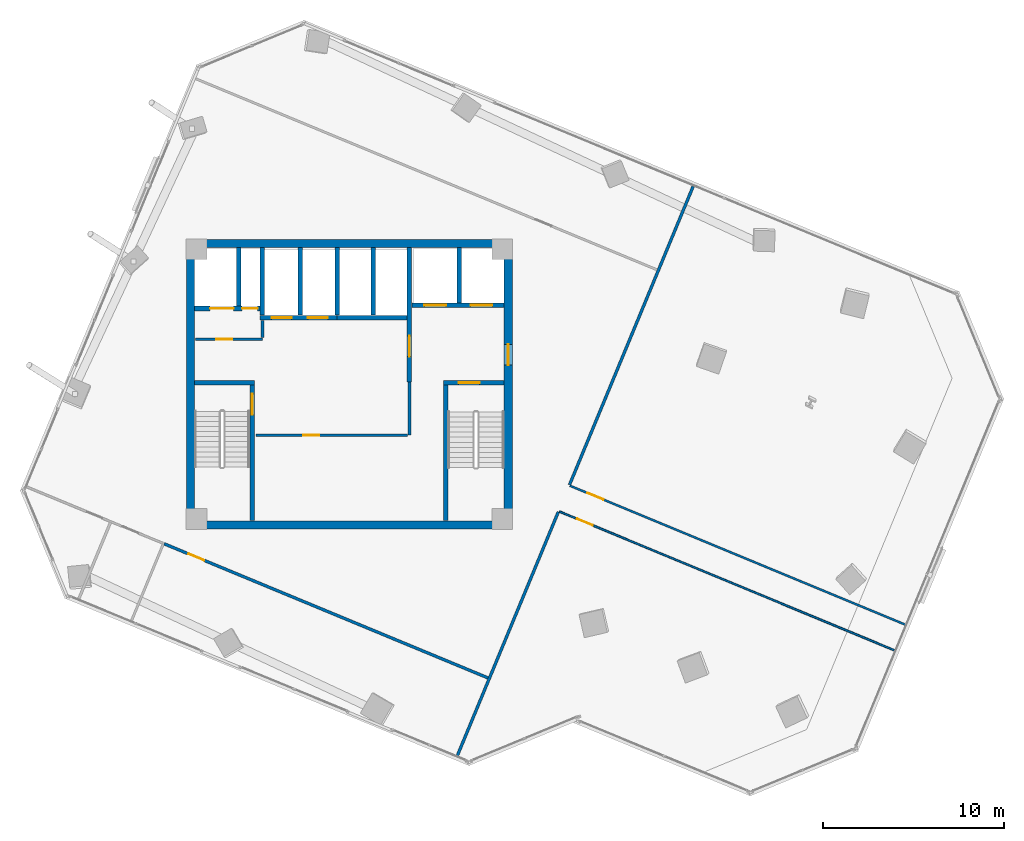
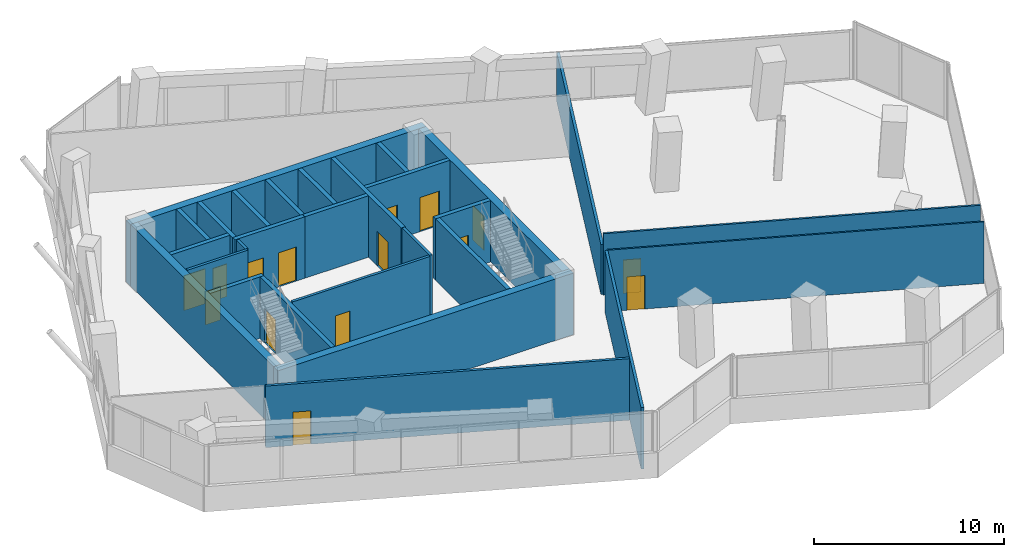
# One storey, part 17 of 22: 28 walls, 15 doors, 15 openings.
"""IFC4 building model written with IfcOpenShell, lengths in metres."""

from ifc_helpers import new_model, si_unit, direction, frame, frame_2d, origin, place, context, subcontext, project, spatial, rectangle, extrude, source, transform, mapped, material, layer, layer_set, type_object, element, fill, save


model = new_model("IFC4")

# Units and contexts
model_context = context("Model", 3, precision=1e-05, world=origin(), true_north=direction((0.0, 1.0)))
body_context = subcontext(model_context, "Body", "Model", "MODEL_VIEW")
ifc_project = project(units=[si_unit("LENGTHUNIT", "METRE"), si_unit("AREAUNIT", "SQUARE_METRE"), si_unit("VOLUMEUNIT", "CUBIC_METRE"), si_unit("PLANEANGLEUNIT", "RADIAN"), si_unit("MASSUNIT", "GRAM", prefix="KILO")], contexts=[model_context])

# Site, building, storey
site_placement = place(None, origin())
site = spatial("IfcSite", under=ifc_project, at=site_placement, CompositionType="ELEMENT")
building_placement = place(site_placement, origin())
building = spatial("IfcBuilding", under=site, at=building_placement, Name="Torre Montelarca", CompositionType="ELEMENT")
storey_placement = place(building_placement, frame((0.0, 0.0, 149.800048828125)))
storey = spatial("IfcBuildingStorey", under=building, at=storey_placement, Name="L33", CompositionType="ELEMENT", Elevation=149.800048828125)

# Wall, opening, door
ifc_material_1 = material(Name="Concrete C40/50", Category="concrete")
ifc_layer_1 = layer(ifc_material_1, 0.25, Name="Concrete C40/50", Category="concrete")
ifc_layer_set_1 = layer_set([ifc_layer_1], Name="Concrete C40/50")
wall_type_1 = type_object("IfcWallType", Name="CW-SHAFT-250", PredefinedType="SHEAR", material=ifc_layer_set_1)
wall_1_placement = place(storey_placement, frame((12.625, 24.4599609375, 0.0), z_axis=(0.0, 0.0, 1.0), x_axis=(0.0, 1.0, 0.0)))
wall_1 = element("IfcWall", 1, at=wall_1_placement, inside=storey, type_object=wall_type_1, Name="L33 Core Shear Wall SH-ST1-E", PredefinedType="SHEAR", context=body_context, shape_type="SweptSolid", body=[
    extrude(rectangle(XDim=7.489990234375, YDim=0.25, at=frame_2d((3.7451171875, 0.0))), origin(), (0.0, 0.0, 1.0), 3.9599609375),
])
opening_1_placement = place(wall_1_placement, frame((5.85009765625, 0.0, 0.0)))
opening_1 = element("IfcOpeningElement", 2, at=opening_1_placement, cuts=wall_1, Name="Opening FD-ST1", PredefinedType="OPENING", context=body_context, shape_type="SweptSolid", body=[
    extrude(rectangle(XDim=1.14990234375, YDim=2.199951171875, at=frame_2d((0.574951171875, 1.10009765625))), frame((0.0, 0.135009765625, 0.0), z_axis=(0.0, -1.0, 0.0), x_axis=(1.0, 0.0, 0.0)), (0.0, 0.0, 1.0), 0.27001953125),
])
ifc_material_2 = material(Name="Galvanized steel fire door", Category="steel")
door_type_1 = type_object("IfcDoorType", Name="DR-STAIR-115", OperationType="NOTDEFINED", PredefinedType="DOOR", material=ifc_material_2)
shared_shape_1 = source(origin(), body_context, "Body", "SweptSolid", [
    extrude(rectangle(XDim=1.14990234375, YDim=2.199951171875, at=frame_2d((0.574951171875, 1.10009765625))), frame((0.0, 0.02490234375, 0.0), z_axis=(0.0, -1.0, 0.0), x_axis=(1.0, 0.0, 0.0)), (0.0, 0.0, 1.0), 0.050048828125),
])
door_1_placement = place(opening_1_placement, origin())
door_1 = element("IfcDoor", 3, at=door_1_placement, inside=storey, type_object=door_type_1, Name="L33 Exit Stair ST1 Fire Door", OperationType="SINGLE_SWING_RIGHT", OverallHeight=2.199951171875, OverallWidth=1.14990234375, PredefinedType="DOOR", context=body_context, shape_type="MappedRepresentation", body=[
    mapped(shared_shape_1, transform((0.0, 0.0, 0.0), scale=1.0)),
])
fill(opening_1, door_1)

# Walls
wall_2_placement = place(storey_placement, frame((9.4599609375, 32.074951171875, 0.0), z_axis=(0.0, 0.0, 1.0), x_axis=(1.0, 0.0, 0.0)))
element("IfcWall", 4, at=wall_2_placement, inside=storey, type_object=wall_type_1, Name="L33 Core Shear Wall SH-ST1-N", PredefinedType="SHEAR", context=body_context, shape_type="SweptSolid", body=[
    extrude(rectangle(XDim=3.2900390625, YDim=0.25, at=frame_2d((1.64501953125, 0.0))), origin(), (0.0, 0.0, 1.0), 3.9599609375),
])
wall_3_placement = place(storey_placement, frame((23.31494140625, 24.4599609375, 0.0), z_axis=(0.0, 0.0, 1.0), x_axis=(0.0, 1.0, 0.0)))
element("IfcWall", 5, at=wall_3_placement, inside=storey, type_object=wall_type_1, Name="L33 Core Shear Wall SH-ST2-W", PredefinedType="SHEAR", context=body_context, shape_type="SweptSolid", body=[
    extrude(rectangle(XDim=7.489990234375, YDim=0.25, at=frame_2d((3.7451171875, 0.0))), origin(), (0.0, 0.0, 1.0), 3.9599609375),
])

# Wall, opening, door
wall_4_placement = place(storey_placement, frame((23.18994140625, 32.074951171875, 0.0), z_axis=(0.0, 0.0, 1.0), x_axis=(1.0, 0.0, 0.0)))
wall_4 = element("IfcWall", 6, at=wall_4_placement, inside=storey, type_object=wall_type_1, Name="L33 Core Shear Wall SH-ST2-N", PredefinedType="SHEAR", context=body_context, shape_type="SweptSolid", body=[
    extrude(rectangle(XDim=3.35009765625, YDim=0.25, at=frame_2d((1.675048828125, 0.0))), origin(), (0.0, 0.0, 1.0), 3.9599609375),
])
opening_2_placement = place(wall_4_placement, frame((0.85009765625, 0.0, 0.0)))
opening_2 = element("IfcOpeningElement", 7, at=opening_2_placement, cuts=wall_4, Name="Opening FD-ST1", PredefinedType="OPENING", context=body_context, shape_type="SweptSolid", body=[
    extrude(rectangle(XDim=1.14990234375, YDim=2.199951171875, at=frame_2d((0.574951171875, 1.10009765625))), frame((0.0, 0.135009765625, 0.0), z_axis=(0.0, -1.0, 0.0), x_axis=(1.0, 0.0, 0.0)), (0.0, 0.0, 1.0), 0.27001953125),
])
door_2_placement = place(opening_2_placement, origin())
door_2 = element("IfcDoor", 8, at=door_2_placement, inside=storey, type_object=door_type_1, Name="L33 Exit Stair ST2 Fire Door", OperationType="SINGLE_SWING_RIGHT", OverallHeight=2.199951171875, OverallWidth=1.14990234375, PredefinedType="DOOR", context=body_context, shape_type="MappedRepresentation", body=[
    mapped(shared_shape_1, transform((0.0, 0.0, 0.0), scale=1.0)),
])
fill(opening_2, door_2)

wall_5_placement = place(storey_placement, frame((21.320068359375, 32.1201171875, 0.0), z_axis=(0.0, 0.0, 1.0), x_axis=(0.0, 1.0, 0.0)))
wall_5 = element("IfcWall", 9, at=wall_5_placement, inside=storey, type_object=wall_type_1, Name="L33 Core Shear Wall SH-FFL-W", PredefinedType="SHEAR", context=body_context, shape_type="SweptSolid", body=[
    extrude(rectangle(XDim=7.419921875, YDim=0.25, at=frame_2d((3.7099609375, 0.0))), origin(), (0.0, 0.0, 1.0), 3.9599609375),
])
opening_3_placement = place(wall_5_placement, frame((1.39990234375, 0.0, 0.0)))
opening_3 = element("IfcOpeningElement", 10, at=opening_3_placement, cuts=wall_5, Name="Opening FD-LB1", PredefinedType="OPENING", context=body_context, shape_type="SweptSolid", body=[
    extrude(rectangle(XDim=1.14990234375, YDim=2.199951171875, at=frame_2d((0.574951171875, 1.10009765625))), frame((0.0, 0.135009765625, 0.0), z_axis=(0.0, -1.0, 0.0), x_axis=(1.0, 0.0, 0.0)), (0.0, 0.0, 1.0), 0.27001953125),
])
ifc_material_3 = material(Name="Acoustic timber-veneered fire door", Category="wood")
door_type_2 = type_object("IfcDoorType", Name="DR-LOBBY-115", OperationType="NOTDEFINED", PredefinedType="DOOR", material=ifc_material_3)
shared_shape_2 = source(origin(), body_context, "Body", "SweptSolid", [
    extrude(rectangle(XDim=1.14990234375, YDim=2.199951171875, at=frame_2d((0.574951171875, 1.10009765625))), frame((0.0, 0.02490234375, 0.0), z_axis=(0.0, -1.0, 0.0), x_axis=(1.0, 0.0, 0.0)), (0.0, 0.0, 1.0), 0.050048828125),
])
door_3_placement = place(opening_3_placement, origin())
door_3 = element("IfcDoor", 11, at=door_3_placement, inside=storey, type_object=door_type_2, Name="L33 Lift Lobby to Firefighting Lobby Smoke Door", OperationType="SINGLE_SWING_LEFT", OverallHeight=2.199951171875, OverallWidth=1.14990234375, PredefinedType="DOOR", context=body_context, shape_type="MappedRepresentation", body=[
    mapped(shared_shape_2, transform((0.0, 0.0, 0.0), scale=1.0)),
])
fill(opening_3, door_3)

# Wall, openings, doors
wall_6_placement = place(storey_placement, frame((9.4599609375, 36.179931640625, 0.0), z_axis=(0.0, 0.0, 1.0), x_axis=(1.0, 0.0, 0.0)))
wall_6 = element("IfcWall", 12, at=wall_6_placement, inside=storey, type_object=wall_type_1, Name="L33 Core Shear Wall SH-SV1-S", PredefinedType="SHEAR", context=body_context, shape_type="SweptSolid", body=[
    extrude(rectangle(XDim=3.7900390625, YDim=0.25, at=frame_2d((1.89501953125, 0.0))), origin(), (0.0, 0.0, 1.0), 3.9599609375),
])
opening_4_placement = place(wall_6_placement, frame((2.6201171875, 0.0, 0.0)))
opening_4 = element("IfcOpeningElement", 13, at=opening_4_placement, cuts=wall_6, Name="Opening FD-085", PredefinedType="OPENING", context=body_context, shape_type="SweptSolid", body=[
    extrude(rectangle(XDim=0.85009765625, YDim=2.10009765625, at=frame_2d((0.425048828125, 1.050048828125))), frame((0.0, 0.135009765625, 0.0), z_axis=(0.0, -1.0, 0.0), x_axis=(1.0, 0.0, 0.0)), (0.0, 0.0, 1.0), 0.27001953125),
])
opening_5_placement = place(wall_6_placement, frame((0.85009765625, 0.0, 0.0)))
opening_5 = element("IfcOpeningElement", 14, at=opening_5_placement, cuts=wall_6, Name="Opening LD-130", PredefinedType="OPENING", context=body_context, shape_type="SweptSolid", body=[
    extrude(rectangle(XDim=1.300048828125, YDim=2.25, at=frame_2d((0.64990234375, 1.125))), frame((0.0, 0.135009765625, 0.0), z_axis=(0.0, -1.0, 0.0), x_axis=(1.0, 0.0, 0.0)), (0.0, 0.0, 1.0), 0.27001953125),
])
ifc_material_4 = material(Name="Steel riser access fire door", Category="steel")
door_type_3 = type_object("IfcDoorType", Name="DR-RISER-085", OperationType="NOTDEFINED", PredefinedType="DOOR", material=ifc_material_4)
shared_shape_3 = source(origin(), body_context, "Body", "SweptSolid", [
    extrude(rectangle(XDim=0.85009765625, YDim=2.10009765625, at=frame_2d((0.425048828125, 1.050048828125))), frame((0.0, 0.02490234375, 0.0), z_axis=(0.0, -1.0, 0.0), x_axis=(1.0, 0.0, 0.0)), (0.0, 0.0, 1.0), 0.050048828125),
])
door_4_placement = place(opening_4_placement, origin())
door_4 = element("IfcDoor", 15, at=door_4_placement, inside=storey, type_object=door_type_3, Name="L33 Electrical Riser Shaft Access Door", OperationType="SINGLE_SWING_RIGHT", OverallHeight=2.10009765625, OverallWidth=0.85009765625, PredefinedType="DOOR", context=body_context, shape_type="MappedRepresentation", body=[
    mapped(shared_shape_3, transform((0.0, 0.0, 0.0), scale=1.0)),
])
fill(opening_4, door_4)
ifc_material_5 = material(Name="Brushed stainless steel AISI 316", Category="steel")
door_type_4 = type_object("IfcDoorType", Name="DR-LIFT-130", OperationType="SLIDING_TO_LEFT", PredefinedType="DOOR", material=ifc_material_5)
shared_shape_4 = source(origin(), body_context, "Body", "SweptSolid", [
    extrude(rectangle(XDim=1.300048828125, YDim=2.25, at=frame_2d((0.64990234375, 1.125))), frame((0.0, 0.02490234375, 0.0), z_axis=(0.0, -1.0, 0.0), x_axis=(1.0, 0.0, 0.0)), (0.0, 0.0, 1.0), 0.050048828125),
])
door_5_placement = place(opening_5_placement, origin())
door_5 = element("IfcDoor", 16, at=door_5_placement, inside=storey, type_object=door_type_4, Name="L33 Lift Landing Sliding Door SV-1", OperationType="SLIDING_TO_LEFT", OverallHeight=2.25, OverallWidth=1.300048828125, PredefinedType="DOOR", context=body_context, shape_type="MappedRepresentation", body=[
    mapped(shared_shape_4, transform((0.0, 0.0, 0.0), scale=1.0)),
])
fill(opening_5, door_5)

# Wall
wall_7_placement = place(storey_placement, frame((11.89990234375, 36.31005859375, 0.0), z_axis=(0.0, 0.0, 1.0), x_axis=(0.0, 1.0, 0.0)))
element("IfcWall", 17, at=wall_7_placement, inside=storey, type_object=wall_type_1, Name="L33 Core Shear Wall SH-SV1-E", PredefinedType="SHEAR", context=body_context, shape_type="SweptSolid", body=[
    extrude(rectangle(XDim=3.22998046875, YDim=0.25, at=frame_2d((1.614990234375, 0.0))), origin(), (0.0, 0.0, 1.0), 3.9599609375),
])

# Wall, openings, doors
wall_8_placement = place(storey_placement, frame((21.449951171875, 36.35009765625, 0.0), z_axis=(0.0, 0.0, 1.0), x_axis=(1.0, 0.0, 0.0)))
wall_8 = element("IfcWall", 18, at=wall_8_placement, inside=storey, type_object=wall_type_1, Name="L33 Core Shear Wall SH-FF-S", PredefinedType="SHEAR", context=body_context, shape_type="SweptSolid", body=[
    extrude(rectangle(XDim=5.090087890625, YDim=0.25, at=frame_2d((2.544921875, 0.0))), origin(), (0.0, 0.0, 1.0), 3.9599609375),
])
opening_6_placement = place(wall_8_placement, frame((0.699951171875, 0.0, 0.0)))
opening_6 = element("IfcOpeningElement", 19, at=opening_6_placement, cuts=wall_8, Name="Opening LD-120", PredefinedType="OPENING", context=body_context, shape_type="SweptSolid", body=[
    extrude(rectangle(XDim=1.199951171875, YDim=2.199951171875, at=frame_2d((0.60009765625, 1.10009765625))), frame((0.0, 0.135009765625, 0.0), z_axis=(0.0, -1.0, 0.0), x_axis=(1.0, 0.0, 0.0)), (0.0, 0.0, 1.0), 0.27001953125),
])
opening_7_placement = place(wall_8_placement, frame((3.25, 0.0, 0.0)))
opening_7 = element("IfcOpeningElement", 20, at=opening_7_placement, cuts=wall_8, Name="Opening LD-120", PredefinedType="OPENING", context=body_context, shape_type="SweptSolid", body=[
    extrude(rectangle(XDim=1.199951171875, YDim=2.199951171875, at=frame_2d((0.60009765625, 1.10009765625))), frame((0.0, 0.135009765625, 0.0), z_axis=(0.0, -1.0, 0.0), x_axis=(1.0, 0.0, 0.0)), (0.0, 0.0, 1.0), 0.27001953125),
])
door_type_5 = type_object("IfcDoorType", Name="DR-LIFT-120", OperationType="SLIDING_TO_RIGHT", PredefinedType="DOOR", material=ifc_material_5)
shared_shape_5 = source(origin(), body_context, "Body", "SweptSolid", [
    extrude(rectangle(XDim=1.199951171875, YDim=2.199951171875, at=frame_2d((0.60009765625, 1.10009765625))), frame((0.0, 0.02490234375, 0.0), z_axis=(0.0, -1.0, 0.0), x_axis=(1.0, 0.0, 0.0)), (0.0, 0.0, 1.0), 0.050048828125),
])
door_6_placement = place(opening_6_placement, origin())
door_6 = element("IfcDoor", 21, at=door_6_placement, inside=storey, type_object=door_type_5, Name="L33 Lift Landing Sliding Door FF-1", OperationType="SLIDING_TO_LEFT", OverallHeight=2.199951171875, OverallWidth=1.199951171875, PredefinedType="DOOR", context=body_context, shape_type="MappedRepresentation", body=[
    mapped(shared_shape_5, transform((0.0, 0.0, 0.0), scale=1.0)),
])
fill(opening_6, door_6)
door_7_placement = place(opening_7_placement, origin())
door_7 = element("IfcDoor", 22, at=door_7_placement, inside=storey, type_object=door_type_5, Name="L33 Lift Landing Sliding Door FF-2", OperationType="SLIDING_TO_RIGHT", OverallHeight=2.199951171875, OverallWidth=1.199951171875, PredefinedType="DOOR", context=body_context, shape_type="MappedRepresentation", body=[
    mapped(shared_shape_5, transform((0.0, 0.0, 0.0), scale=1.0)),
])
fill(opening_7, door_7)

# Wall
wall_9_placement = place(storey_placement, frame((24.080078125, 36.47998046875, 0.0), z_axis=(0.0, 0.0, 1.0), x_axis=(0.0, 1.0, 0.0)))
element("IfcWall", 23, at=wall_9_placement, inside=storey, type_object=wall_type_1, Name="L33 Core Shear Wall SH-FF-M", PredefinedType="SHEAR", context=body_context, shape_type="SweptSolid", body=[
    extrude(rectangle(XDim=3.06005859375, YDim=0.25, at=frame_2d((1.530029296875, 0.0))), origin(), (0.0, 0.0, 1.0), 3.9599609375),
])

# Wall, openings, doors
wall_10_placement = place(storey_placement, frame((13.06005859375, 35.679931640625, 0.0), z_axis=(0.0, 0.0, 1.0), x_axis=(1.0, 0.0, 0.0)))
wall_10 = element("IfcWall", 24, at=wall_10_placement, inside=storey, type_object=wall_type_1, Name="L33 Core Shear Wall SH-PLM-S", PredefinedType="SHEAR", context=body_context, shape_type="SweptSolid", body=[
    extrude(rectangle(XDim=4.25, YDim=0.25, at=frame_2d((2.125, 0.0))), origin(), (0.0, 0.0, 1.0), 3.9599609375),
])
opening_8_placement = place(wall_10_placement, frame((0.64990234375, 0.0, 0.0)))
opening_8 = element("IfcOpeningElement", 25, at=opening_8_placement, cuts=wall_10, Name="Opening LD-110", PredefinedType="OPENING", context=body_context, shape_type="SweptSolid", body=[
    extrude(rectangle(XDim=1.10009765625, YDim=2.199951171875, at=frame_2d((0.550048828125, 1.10009765625))), frame((0.0, 0.135009765625, 0.0), z_axis=(0.0, -1.0, 0.0), x_axis=(1.0, 0.0, 0.0)), (0.0, 0.0, 1.0), 0.27001953125),
])
opening_9_placement = place(wall_10_placement, frame((2.64990234375, 0.0, 0.0)))
opening_9 = element("IfcOpeningElement", 26, at=opening_9_placement, cuts=wall_10, Name="Opening LD-110", PredefinedType="OPENING", context=body_context, shape_type="SweptSolid", body=[
    extrude(rectangle(XDim=1.10009765625, YDim=2.199951171875, at=frame_2d((0.550048828125, 1.10009765625))), frame((0.0, 0.135009765625, 0.0), z_axis=(0.0, -1.0, 0.0), x_axis=(1.0, 0.0, 0.0)), (0.0, 0.0, 1.0), 0.27001953125),
])
door_type_6 = type_object("IfcDoorType", Name="DR-LIFT-110", OperationType="SLIDING_TO_LEFT", PredefinedType="DOOR", material=ifc_material_5)
shared_shape_6 = source(origin(), body_context, "Body", "SweptSolid", [
    extrude(rectangle(XDim=1.10009765625, YDim=2.199951171875, at=frame_2d((0.550048828125, 1.10009765625))), frame((0.0, 0.02490234375, 0.0), z_axis=(0.0, -1.0, 0.0), x_axis=(1.0, 0.0, 0.0)), (0.0, 0.0, 1.0), 0.050048828125),
])
door_8_placement = place(opening_8_placement, origin())
door_8 = element("IfcDoor", 27, at=door_8_placement, inside=storey, type_object=door_type_6, Name="L33 Lift Landing Sliding Door PL-M1", OperationType="SLIDING_TO_LEFT", OverallHeight=2.199951171875, OverallWidth=1.10009765625, PredefinedType="DOOR", context=body_context, shape_type="MappedRepresentation", body=[
    mapped(shared_shape_6, transform((0.0, 0.0, 0.0), scale=1.0)),
])
fill(opening_8, door_8)
door_9_placement = place(opening_9_placement, origin())
door_9 = element("IfcDoor", 28, at=door_9_placement, inside=storey, type_object=door_type_6, Name="L33 Lift Landing Sliding Door PL-M2", OperationType="SLIDING_TO_RIGHT", OverallHeight=2.199951171875, OverallWidth=1.10009765625, PredefinedType="DOOR", context=body_context, shape_type="MappedRepresentation", body=[
    mapped(shared_shape_6, transform((0.0, 0.0, 0.0), scale=1.0)),
])
fill(opening_9, door_9)

# Walls
for number, where, z_axis, x_axis, name in (
    (29, (13.179931640625, 35.81005859375, 0.0), (0.0, 0.0, 1.0), (0.0, 1.0, 0.0), "L33 Core Shear Wall SH-PLM-W"),
    (30, (15.280029296875, 35.81005859375, 0.0), (0.0, 0.0, 1.0), (0.0, 1.0, 0.0), "L33 Core Shear Wall SH-PLM-M"),
):
    element("IfcWall", number, at=place(storey_placement, frame(where, z_axis=z_axis, x_axis=x_axis)), inside=storey, type_object=wall_type_1, Name=name, PredefinedType="SHEAR", context=body_context, shape_type="SweptSolid", body=[
        extrude(rectangle(XDim=3.72998046875, YDim=0.25, at=frame_2d((1.864990234375, 0.0))), origin(), (0.0, 0.0, 1.0), 3.9599609375),
    ])
wall_11_placement = place(storey_placement, frame((17.320068359375, 35.679931640625, 0.0), z_axis=(0.0, 0.0, 1.0), x_axis=(1.0, 0.0, 0.0)))
element("IfcWall", 31, at=wall_11_placement, inside=storey, type_object=wall_type_1, Name="L33 Core Shear Wall SH-PLH-S", PredefinedType="SHEAR", context=body_context, shape_type="SweptSolid", body=[
    extrude(rectangle(XDim=3.869873046875, YDim=0.25, at=frame_2d((1.93505859375, 0.0))), origin(), (0.0, 0.0, 1.0), 3.9599609375),
])
for number, where, z_axis, x_axis, name in (
    (32, (17.320068359375, 35.81005859375, 0.0), (0.0, 0.0, 1.0), (0.0, 1.0, 0.0), "L33 Core Shear Wall SH-PLH-W"),
    (33, (19.320068359375, 35.81005859375, 0.0), (0.0, 0.0, 1.0), (0.0, 1.0, 0.0), "L33 Core Shear Wall SH-PLH-M"),
):
    element("IfcWall", number, at=place(storey_placement, frame(where, z_axis=z_axis, x_axis=x_axis)), inside=storey, type_object=wall_type_1, Name=name, PredefinedType="SHEAR", context=body_context, shape_type="SweptSolid", body=[
        extrude(rectangle(XDim=3.72998046875, YDim=0.25, at=frame_2d((1.864990234375, 0.0))), origin(), (0.0, 0.0, 1.0), 3.9599609375),
    ])
ifc_material_6 = material(Name="Concrete C55/67", Category="concrete")
ifc_layer_2 = layer(ifc_material_6, 0.449951171875, Name="Concrete C55/67", Category="concrete")
ifc_layer_set_2 = layer_set([ifc_layer_2], Name="Concrete C55/67")
wall_type_2 = type_object("IfcWallType", Name="CW-SHEAR-450", PredefinedType="SHEAR", material=ifc_layer_set_2)
wall_12_placement = place(storey_placement, frame((9.22509765625, 24.449951171875, 0.0), z_axis=(0.0, 0.0, 1.0), x_axis=(0.0, 1.0, 0.0)))
element("IfcWall", 34, at=wall_12_placement, inside=storey, type_object=wall_type_2, Name="L33 Core Shear Wall CW-W", PredefinedType="SHEAR", context=body_context, shape_type="SweptSolid", body=[
    extrude(rectangle(XDim=15.10009765625, YDim=0.449951171875, at=frame_2d((7.550048828125, 0.0))), origin(), (0.0, 0.0, 1.0), 3.9599609375),
])

# Wall, opening, door
wall_13_placement = place(storey_placement, frame((26.77490234375, 24.449951171875, 0.0), z_axis=(0.0, 0.0, 1.0), x_axis=(0.0, 1.0, 0.0)))
wall_13 = element("IfcWall", 35, at=wall_13_placement, inside=storey, type_object=wall_type_2, Name="L33 Core Shear Wall CW-E", PredefinedType="SHEAR", context=body_context, shape_type="SweptSolid", body=[
    extrude(rectangle(XDim=15.10009765625, YDim=0.449951171875, at=frame_2d((7.550048828125, 0.0))), origin(), (0.0, 0.0, 1.0), 3.9599609375),
])
opening_10_placement = place(wall_13_placement, frame((8.60009765625, 0.0, 0.0)))
opening_10 = element("IfcOpeningElement", 36, at=opening_10_placement, cuts=wall_13, Name="Opening FD-LB1", PredefinedType="OPENING", context=body_context, shape_type="SweptSolid", body=[
    extrude(rectangle(XDim=1.14990234375, YDim=2.199951171875, at=frame_2d((0.574951171875, 1.10009765625))), frame((0.0, 0.23486328125, 0.0), z_axis=(0.0, -1.0, 0.0), x_axis=(1.0, 0.0, 0.0)), (0.0, 0.0, 1.0), 0.469970703125),
])
door_10_placement = place(opening_10_placement, origin())
door_10 = element("IfcDoor", 37, at=door_10_placement, inside=storey, type_object=door_type_2, Name="L33 Firefighting Lift Lobby Corridor Fire Door", OperationType="SINGLE_SWING_RIGHT", OverallHeight=2.199951171875, OverallWidth=1.14990234375, PredefinedType="DOOR", context=body_context, shape_type="MappedRepresentation", body=[
    mapped(shared_shape_2, transform((0.0, 0.0, 0.0), scale=1.0)),
])
fill(opening_10, door_10)

# Walls
for number, where, z_axis, x_axis, name in (
    (38, (9.0, 24.22509765625, 0.0), (0.0, 0.0, 1.0), (1.0, 0.0, 0.0), "L33 Core Shear Wall CW-S1"),
    (39, (9.0, 39.77490234375, 0.0), (0.0, 0.0, 1.0), (1.0, 0.0, 0.0), "L33 Core Shear Wall CW-N1"),
):
    element("IfcWall", number, at=place(storey_placement, frame(where, z_axis=z_axis, x_axis=x_axis)), inside=storey, type_object=wall_type_2, Name=name, PredefinedType="SHEAR", context=body_context, shape_type="SweptSolid", body=[
        extrude(rectangle(XDim=18.0, YDim=0.449951171875, at=frame_2d((9.0, 0.0))), origin(), (0.0, 0.0, 1.0), 3.9599609375),
    ])

# Wall, opening, door
ifc_material_7 = material(Name="Gypsum plasterboard on steel stud", Category="steel")
ifc_layer_3 = layer(ifc_material_7, 0.159912109375, Name="Gypsum plasterboard on steel stud", Category="steel")
ifc_layer_set_3 = layer_set([ifc_layer_3], Name="Gypsum plasterboard on steel stud")
wall_type_3 = type_object("IfcWallType", Name="PW-FIRE-160", PredefinedType="PARTITIONING", material=ifc_layer_set_3)
wall_14_placement = place(storey_placement, frame((9.489990234375, 34.47998046875, 0.0), z_axis=(0.0, 0.0, 1.0), x_axis=(1.0, 0.0, 0.0)))
wall_14 = element("IfcWall", 40, at=wall_14_placement, inside=storey, type_object=wall_type_3, Name="L33 Interior Partition CW-L33-SVS", PredefinedType="PARTITIONING", context=body_context, shape_type="SweptSolid", body=[
    extrude(rectangle(XDim=3.699951171875, YDim=0.159912109375, at=frame_2d((1.85009765625, 0.0))), origin(), (0.0, 0.0, 1.0), 3.9599609375),
])
opening_11_placement = place(wall_14_placement, frame((1.14990234375, 0.0, 0.0)))
opening_11 = element("IfcOpeningElement", 41, at=opening_11_placement, cuts=wall_14, Name="Opening FD-090", PredefinedType="OPENING", context=body_context, shape_type="SweptSolid", body=[
    extrude(rectangle(XDim=0.89990234375, YDim=2.14990234375, at=frame_2d((0.449951171875, 1.074951171875))), frame((0.0, 0.08984375, 0.0), z_axis=(0.0, -1.0, 0.0), x_axis=(1.0, 0.0, 0.0)), (0.0, 0.0, 1.0), 0.179931640625),
])
ifc_material_8 = material(Name="Steel service fire door", Category="steel")
door_type_7 = type_object("IfcDoorType", Name="DR-FIRE-090", OperationType="NOTDEFINED", PredefinedType="DOOR", material=ifc_material_8)
shared_shape_7 = source(origin(), body_context, "Body", "SweptSolid", [
    extrude(rectangle(XDim=0.89990234375, YDim=2.14990234375, at=frame_2d((0.449951171875, 1.074951171875))), frame((0.0, 0.02490234375, 0.0), z_axis=(0.0, -1.0, 0.0), x_axis=(1.0, 0.0, 0.0)), (0.0, 0.0, 1.0), 0.050048828125),
])
door_11_placement = place(opening_11_placement, origin())
door_11 = element("IfcDoor", 42, at=door_11_placement, inside=storey, type_object=door_type_7, Name="L33 Interior Door 01", OperationType="SINGLE_SWING_RIGHT", OverallHeight=2.14990234375, OverallWidth=0.89990234375, PredefinedType="DOOR", context=body_context, shape_type="MappedRepresentation", body=[
    mapped(shared_shape_7, transform((0.0, 0.0, 0.0), scale=1.0)),
])
fill(opening_11, door_11)

# Wall
wall_15_placement = place(storey_placement, frame((13.199951171875, 34.570068359375, 0.0), z_axis=(0.0, 0.0, 1.0), x_axis=(0.0, 1.0, 0.0)))
element("IfcWall", 43, at=wall_15_placement, inside=storey, type_object=wall_type_3, Name="L33 Interior Partition CW-L33-SVE", PredefinedType="PARTITIONING", context=body_context, shape_type="SweptSolid", body=[
    extrude(rectangle(XDim=0.93994140625, YDim=0.159912109375, at=frame_2d((0.469970703125, 0.0))), origin(), (0.0, 0.0, 1.0), 3.9599609375),
])

# Wall, opening, door
wall_16_placement = place(storey_placement, frame((12.840087890625, 29.179931640625, 0.0), z_axis=(0.0, 0.0, 1.0), x_axis=(1.0, 0.0, 0.0)))
wall_16 = element("IfcWall", 44, at=wall_16_placement, inside=storey, type_object=wall_type_3, Name="L33 Interior Partition CW-L33-FRDN", PredefinedType="PARTITIONING", context=body_context, shape_type="SweptSolid", body=[
    extrude(rectangle(XDim=8.369873046875, YDim=0.159912109375, at=frame_2d((4.18505859375, 0.0))), origin(), (0.0, 0.0, 1.0), 3.9599609375),
])
opening_12_placement = place(wall_16_placement, frame((2.60009765625, 0.0, 0.0)))
opening_12 = element("IfcOpeningElement", 45, at=opening_12_placement, cuts=wall_16, Name="Opening FD-090", PredefinedType="OPENING", context=body_context, shape_type="SweptSolid", body=[
    extrude(rectangle(XDim=0.89990234375, YDim=2.14990234375, at=frame_2d((0.449951171875, 1.074951171875))), frame((0.0, 0.08984375, 0.0), z_axis=(0.0, -1.0, 0.0), x_axis=(1.0, 0.0, 0.0)), (0.0, 0.0, 1.0), 0.179931640625),
])
door_12_placement = place(opening_12_placement, origin())
door_12 = element("IfcDoor", 46, at=door_12_placement, inside=storey, type_object=door_type_7, Name="L33 Interior Door 02", OperationType="SINGLE_SWING_LEFT", OverallHeight=2.14990234375, OverallWidth=0.89990234375, PredefinedType="DOOR", context=body_context, shape_type="MappedRepresentation", body=[
    mapped(shared_shape_7, transform((0.0, 0.0, 0.0), scale=1.0)),
])
fill(opening_12, door_12)

# Wall
wall_17_placement = place(storey_placement, frame((21.320068359375, 29.18994140625, 0.0), z_axis=(0.0, 0.0, 1.0), x_axis=(0.0, 1.0, 0.0)))
element("IfcWall", 47, at=wall_17_placement, inside=storey, type_object=wall_type_3, Name="L33 Interior Partition CW-L33-FRE", PredefinedType="PARTITIONING", context=body_context, shape_type="SweptSolid", body=[
    extrude(rectangle(XDim=2.920166015625, YDim=0.159912109375, at=frame_2d((1.4599609375, 0.0))), origin(), (0.0, 0.0, 1.0), 3.9599609375),
])

# Wall, opening, door
wall_18_placement = place(storey_placement, frame((7.770751953125, 23.182861328125, 0.0), z_axis=(0.0, 0.0, 1.0), x_axis=(0.923878020857, -0.382687081801, 0.0)))
wall_18 = element("IfcWall", 48, at=wall_18_placement, inside=storey, type_object=wall_type_3, Name="L33 Interior Partition W-L33-SOCCN", PredefinedType="PARTITIONING", context=body_context, shape_type="SweptSolid", body=[
    extrude(rectangle(XDim=19.39990234375, YDim=0.159912109375, at=frame_2d((9.699951171875, 0.0))), origin(), (0.0, 0.0, 1.0), 3.9599609375),
])
opening_13_placement = place(wall_18_placement, frame((1.449951171875, 0.0, 0.0)))
opening_13 = element("IfcOpeningElement", 49, at=opening_13_placement, cuts=wall_18, Name="Opening FD-095", PredefinedType="OPENING", context=body_context, shape_type="SweptSolid", body=[
    extrude(rectangle(XDim=0.949951171875, YDim=2.14990234375, at=frame_2d((0.47509765625, 1.074951171875))), frame((0.0, 0.08984375, 0.0), z_axis=(0.0, -1.0, 0.0), x_axis=(1.0, 0.0, 0.0)), (0.0, 0.0, 1.0), 0.179931640625),
])
ifc_material_9 = material(Name="Timber fire-rated room door", Category="wood")
door_type_8 = type_object("IfcDoorType", Name="DR-FIRE-095", OperationType="NOTDEFINED", PredefinedType="DOOR", material=ifc_material_9)
shared_shape_8 = source(origin(), body_context, "Body", "SweptSolid", [
    extrude(rectangle(XDim=0.949951171875, YDim=2.14990234375, at=frame_2d((0.47509765625, 1.074951171875))), frame((0.0, 0.02490234375, 0.0), z_axis=(0.0, -1.0, 0.0), x_axis=(1.0, 0.0, 0.0)), (0.0, 0.0, 1.0), 0.050048828125),
])
door_13_placement = place(opening_13_placement, origin())
door_13 = element("IfcDoor", 50, at=door_13_placement, inside=storey, type_object=door_type_8, Name="L33 Interior Door 05", OperationType="SINGLE_SWING_RIGHT", OverallHeight=2.14990234375, OverallWidth=0.949951171875, PredefinedType="DOOR", context=body_context, shape_type="MappedRepresentation", body=[
    mapped(shared_shape_8, transform((0.0, 0.0, 0.0), scale=1.0)),
])
fill(opening_13, door_13)

# Walls
wall_19_placement = place(storey_placement, frame((30.162353515625, 26.44189453125, 0.0), z_axis=(0.0, 0.0, 1.0), x_axis=(0.382688600046, 0.923877391971, 0.0)))
element("IfcWall", 51, at=wall_19_placement, inside=storey, type_object=wall_type_3, Name="L33 Interior Partition W-L33-ECN", PredefinedType="PARTITIONING", context=body_context, shape_type="SweptSolid", body=[
    extrude(rectangle(XDim=17.83984375, YDim=0.159912109375, at=frame_2d((8.919921875, 0.0))), origin(), (0.0, 0.0, 1.0), 3.195068359375),
])
wall_20_placement = place(storey_placement, frame((23.962890625, 11.47509765625, 0.0), z_axis=(0.0, 0.0, 1.0), x_axis=(0.382686018031, 0.923878461489, 0.0)))
element("IfcWall", 52, at=wall_20_placement, inside=storey, type_object=wall_type_3, Name="L33 Interior Partition W-L33-ECS", PredefinedType="PARTITIONING", context=body_context, shape_type="SweptSolid", body=[
    extrude(rectangle(XDim=14.580078125, YDim=0.159912109375, at=frame_2d((7.2900390625, 0.0))), origin(), (0.0, 0.0, 1.0), 3.9599609375),
])

# Wall, opening, door
ifc_material_10 = material(Name="Acoustic laminated glass partition", Category="glass")
ifc_layer_4 = layer(ifc_material_10, 0.10009765625, Name="Acoustic laminated glass partition", Category="glass")
ifc_layer_set_4 = layer_set([ifc_layer_4], Name="Acoustic laminated glass partition")
wall_type_4 = type_object("IfcWallType", Name="PW-GLAZ-100", PredefinedType="PARTITIONING", material=ifc_layer_set_4)
wall_21_placement = place(storey_placement, frame((29.5947265625, 24.966796875, 0.0), z_axis=(0.0, 0.0, 1.0), x_axis=(0.923882225843, -0.382676930022, 0.0)))
wall_21 = element("IfcWall", 53, at=wall_21_placement, inside=storey, type_object=wall_type_4, Name="L33 Interior Partition W-L33-SE-N", PredefinedType="PARTITIONING", context=body_context, shape_type="SweptSolid", body=[
    extrude(rectangle(XDim=20.0498046875, YDim=0.10009765625, at=frame_2d((10.02490234375, 0.0))), origin(), (0.0, 0.0, 1.0), 3.9599609375),
])
opening_14_placement = place(wall_21_placement, frame((1.050048828125, 0.0, 0.0)))
opening_14 = element("IfcOpeningElement", 54, at=opening_14_placement, cuts=wall_21, Name="Opening ID-095", PredefinedType="OPENING", context=body_context, shape_type="SweptSolid", body=[
    extrude(rectangle(XDim=0.949951171875, YDim=2.14990234375, at=frame_2d((0.47509765625, 1.074951171875))), frame((0.0, 0.06005859375, 0.0), z_axis=(0.0, -1.0, 0.0), x_axis=(1.0, 0.0, 0.0)), (0.0, 0.0, 1.0), 0.1201171875),
])
ifc_material_11 = material(Name="Hardwood acoustic timber veneer", Category="wood")
door_type_9 = type_object("IfcDoorType", Name="DR-INT-095", OperationType="NOTDEFINED", PredefinedType="DOOR", material=ifc_material_11)
shared_shape_9 = source(origin(), body_context, "Body", "SweptSolid", [
    extrude(rectangle(XDim=0.949951171875, YDim=2.14990234375, at=frame_2d((0.47509765625, 1.074951171875))), frame((0.0, 0.02490234375, 0.0), z_axis=(0.0, -1.0, 0.0), x_axis=(1.0, 0.0, 0.0)), (0.0, 0.0, 1.0), 0.050048828125),
])
door_14_placement = place(opening_14_placement, origin())
door_14 = element("IfcDoor", 55, at=door_14_placement, inside=storey, type_object=door_type_9, Name="L33 Interior Door 08", OperationType="SINGLE_SWING_LEFT", OverallHeight=2.14990234375, OverallWidth=0.949951171875, PredefinedType="DOOR", context=body_context, shape_type="MappedRepresentation", body=[
    mapped(shared_shape_9, transform((0.0, 0.0, 0.0), scale=1.0)),
])
fill(opening_14, door_14)

ifc_layer_5 = layer(ifc_material_7, 0.114990234375, Name="Gypsum plasterboard on steel stud", Category="steel")
ifc_layer_set_5 = layer_set([ifc_layer_5], Name="Gypsum plasterboard on steel stud")
wall_type_5 = type_object("IfcWallType", Name="PW-PART-115", PredefinedType="PARTITIONING", material=ifc_layer_set_5)
wall_22_placement = place(storey_placement, frame((30.18408203125, 26.3896484375, 0.0), z_axis=(0.0, 0.0, 1.0), x_axis=(0.923877920754, -0.382687323468, 0.0)))
wall_22 = element("IfcWall", 56, at=wall_22_placement, inside=storey, type_object=wall_type_5, Name="L33 Interior Partition W-L33-NE-S", PredefinedType="PARTITIONING", context=body_context, shape_type="SweptSolid", body=[
    extrude(rectangle(XDim=20.0498046875, YDim=0.114990234375, at=frame_2d((10.02490234375, 0.0))), origin(), (0.0, 0.0, 1.0), 3.9599609375),
])
opening_15_placement = place(wall_22_placement, frame((1.050048828125, 0.0, 0.0)))
opening_15 = element("IfcOpeningElement", 57, at=opening_15_placement, cuts=wall_22, Name="Opening ID-095", PredefinedType="OPENING", context=body_context, shape_type="SweptSolid", body=[
    extrude(rectangle(XDim=0.949951171875, YDim=2.14990234375, at=frame_2d((0.47509765625, 1.074951171875))), frame((0.0, 0.0673828125, 0.0), z_axis=(0.0, -1.0, 0.0), x_axis=(1.0, 0.0, 0.0)), (0.0, 0.0, 1.0), 0.135009765625),
])
door_15_placement = place(opening_15_placement, origin())
door_15 = element("IfcDoor", 58, at=door_15_placement, inside=storey, type_object=door_type_9, Name="L33 Interior Door 07", OperationType="SINGLE_SWING_LEFT", OverallHeight=2.14990234375, OverallWidth=0.949951171875, PredefinedType="DOOR", context=body_context, shape_type="MappedRepresentation", body=[
    mapped(shared_shape_9, transform((0.0, 0.0, 0.0), scale=1.0)),
])
fill(opening_15, door_15)

save(model, "model.ifc")
